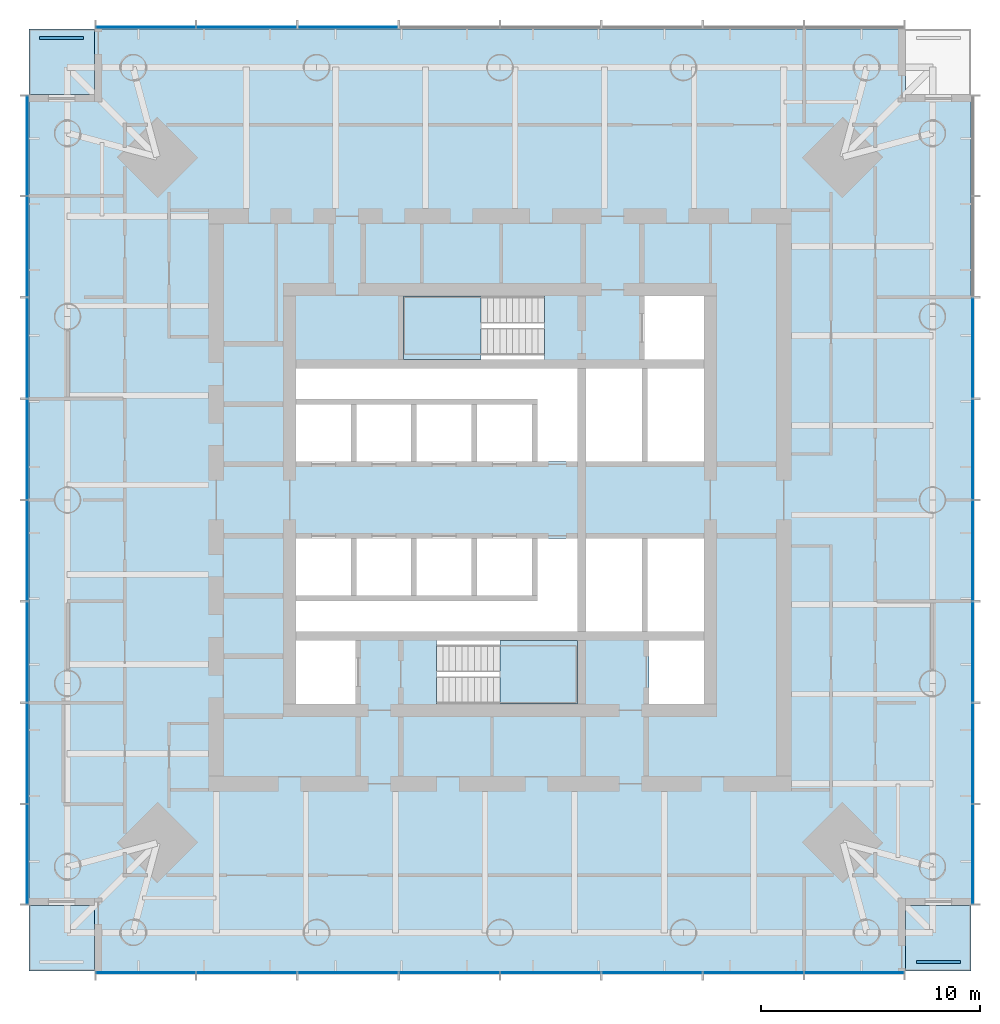
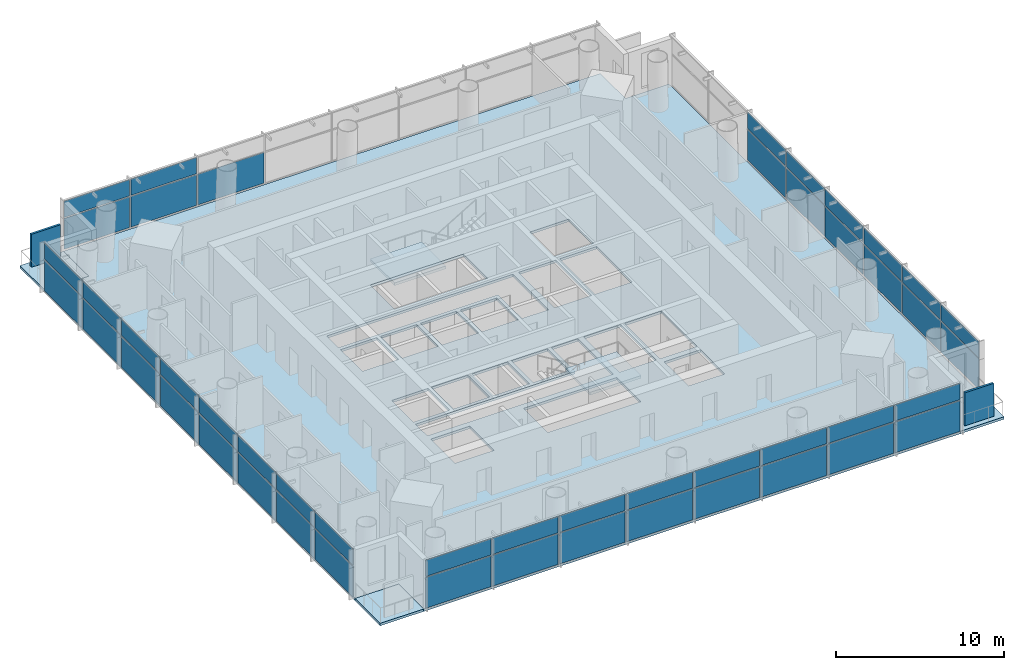
# One storey, part 5 of 11: 51 plates, 6 slabs, 10 elements without a shape of their own.
"""IFC4 building model written with IfcOpenShell, lengths in metres."""

import ifcopenshell
import ifcopenshell.guid

model = None  # the IFC model being written
_history = None  # IfcOwnerHistory: only IFC2X3 demands one
_inside = {}  # id of a spatial element -> (the spatial element, [elements in it])
_under = {}  # id of a project, library or spatial element -> (it, [spatial elements below it])
_declared = {}  # id of a project -> (the project, [libraries it declares])
_typed = {}  # id of a type object -> (the type object, [elements of that type])
_made_of = {}  # id of a material, layer set ... -> (it, [elements and type objects made of it])


def new_model(schema):
    """Start an empty IFC model of exactly this schema.

    Asked for "IFC4X3", IfcOpenShell would pick the latest addendum, in which some entities
    have other attributes; the version numbers below select the first issue.
    IFC2X3 requires an IfcOwnerHistory on every rooted entity: one is made here for all.
    """
    global model, _history
    if schema == "IFC4X3":
        model = ifcopenshell.file(schema_version=(4, 3, 0, 0))
    else:
        model = ifcopenshell.file(schema=schema)
    _inside.clear()
    _under.clear()
    _declared.clear()
    _typed.clear()
    _made_of.clear()
    _history = None
    if model.schema == "IFC2X3":
        org = make("IfcOrganization", Name="unknown")
        user = make(
            "IfcPersonAndOrganization",
            ThePerson=make("IfcPerson", FamilyName="unknown"),
            TheOrganization=org,
        )
        app = make(
            "IfcApplication",
            ApplicationDeveloper=org,
            Version="unknown",
            ApplicationFullName="unknown",
            ApplicationIdentifier="unknown",
        )
        _history = make(
            "IfcOwnerHistory",
            OwningUser=user,
            OwningApplication=app,
            ChangeAction="ADDED",
            CreationDate=0,
        )
    return model


def make(cls, **values):
    """One entity of the class cls with the attributes given. An attribute that is None is left unset."""
    return model.create_entity(
        cls, **{name: value for name, value in values.items() if value is not None}
    )


def rooted(cls, **values):
    """An entity with a GlobalId (a new one), such as an element, a storey or a relation."""
    return make(cls, GlobalId=ifcopenshell.guid.new(), OwnerHistory=_history, **values)


def si_unit(unit_type, name, prefix=None):
    """IfcSIUnit, for example si_unit("LENGTHUNIT", "METRE", prefix="MILLI")."""
    return make("IfcSIUnit", UnitType=unit_type, Prefix=prefix, Name=name)


def assignment(units):
    """IfcUnitAssignment: the units of a project."""
    return None if units is None else make("IfcUnitAssignment", Units=units)


def point(xyz):
    """IfcCartesianPoint."""
    return None if xyz is None else make("IfcCartesianPoint", Coordinates=xyz)


def direction(xyz):
    """IfcDirection."""
    return None if xyz is None else make("IfcDirection", DirectionRatios=xyz)


def frame(location, z_axis=None, x_axis=None):
    """IfcAxis2Placement3D, a coordinate frame: its origin and axes. An axis left out is left unset."""
    return make(
        "IfcAxis2Placement3D",
        Location=point(location),
        Axis=direction(z_axis),
        RefDirection=direction(x_axis),
    )


def frame_2d(location, x_axis=None):
    """IfcAxis2Placement2D, a coordinate frame in the plane: its origin and x axis."""
    return make(
        "IfcAxis2Placement2D", Location=point(location), RefDirection=direction(x_axis)
    )


def origin():
    """The frame at (0, 0, 0) with its axes left unset."""
    return frame((0.0, 0.0, 0.0))


def origin_2d():
    """The frame at (0, 0) in the plane with its x axis left unset."""
    return frame_2d((0.0, 0.0))


def place(relative_to, where):
    """IfcLocalPlacement: puts the frame where relative to a parent placement (None: the world)."""
    return make(
        "IfcLocalPlacement", PlacementRelTo=relative_to, RelativePlacement=where
    )


def context(
    kind, dimensions, precision=None, world=None, true_north=None, identifier=None
):
    """IfcGeometricRepresentationContext, for example the 3D "Model" context."""
    return make(
        "IfcGeometricRepresentationContext",
        ContextIdentifier=identifier,
        ContextType=kind,
        CoordinateSpaceDimension=dimensions,
        Precision=precision,
        WorldCoordinateSystem=world,
        TrueNorth=true_north,
    )


def subcontext(parent, identifier, kind, view, scale=None):
    """IfcGeometricRepresentationSubContext, for example "Body" below "Model"."""
    return make(
        "IfcGeometricRepresentationSubContext",
        ContextIdentifier=identifier,
        ContextType=kind,
        ParentContext=parent,
        TargetScale=scale,
        TargetView=view,
    )


def project(units=None, contexts=None):
    """IfcProject with its units and contexts."""
    return rooted(
        "IfcProject",
        Name="project",
        RepresentationContexts=contexts,
        UnitsInContext=assignment(units),
    )


def spatial(cls, under=None, at=None, **own):
    """A site, building, storey or space (cls), placed at a placement, below another one or the project."""
    s = rooted(cls, ObjectPlacement=at, **own)
    if under is not None:
        _under.setdefault(under.id(), (under, []))[1].append(s)
    return s


def polyline(points):
    """IfcPolyline through the points."""
    return make("IfcPolyline", Points=[point(p) for p in points])


def profile(cls, at=None, kind="AREA", **sizes):
    """A parametric profile (cls). Its sizes go by their IFC names, for example OverallWidth=200.0."""
    return make(cls, ProfileType=kind, Position=at, **sizes)


def rectangle(**sizes):
    """IfcRectangleProfileDef."""
    return profile("IfcRectangleProfileDef", **sizes)


def outline(outer, holes=None, kind="AREA"):
    """IfcArbitraryClosedProfileDef: a profile drawn as a closed curve; with holes, ...WithVoids."""
    if holes is None:
        return make("IfcArbitraryClosedProfileDef", ProfileType=kind, OuterCurve=outer)
    return make(
        "IfcArbitraryProfileDefWithVoids",
        ProfileType=kind,
        OuterCurve=outer,
        InnerCurves=holes,
    )


def extrude(swept, where, along, depth):
    """IfcExtrudedAreaSolid: the profile swept, set in the frame where, extruded along a direction by depth."""
    return make(
        "IfcExtrudedAreaSolid",
        SweptArea=swept,
        Position=where,
        ExtrudedDirection=direction(along),
        Depth=depth,
    )


def shape(context_of_items, identifier, shape_type, items):
    """IfcShapeRepresentation: the items that make up one representation, for example the "Body"."""
    return make(
        "IfcShapeRepresentation",
        ContextOfItems=context_of_items,
        RepresentationIdentifier=identifier,
        RepresentationType=shape_type,
        Items=items,
    )


def material(Name=None, Category=None):
    """IfcMaterial."""
    return make("IfcMaterial", Name=Name, Category=Category)


def layer(
    of_material, thickness, ventilated=None, Name=None, Category=None, Priority=None
):
    """IfcMaterialLayer: one layer of a wall or slab, of a material (None: an air gap)."""
    return make(
        "IfcMaterialLayer",
        Material=of_material,
        LayerThickness=thickness,
        IsVentilated=ventilated,
        Name=Name,
        Category=Category,
        Priority=Priority,
    )


def layer_set(layers, Name=None):
    """IfcMaterialLayerSet."""
    return make("IfcMaterialLayerSet", MaterialLayers=layers, LayerSetName=Name)


def made_of(thing, what):
    """Note that an element or type object is made of a material, layer set ...; save() writes the relation."""
    if what is not None:
        _made_of.setdefault(what.id(), (what, []))[1].append(thing)
    return thing


def type_object(cls, material=None, **own):
    """A type object (cls), such as IfcWallType, which elements share."""
    return made_of(rooted(cls, **own), material)


def element(
    cls,
    number,
    at=None,
    inside=None,
    cuts=None,
    type_object=None,
    material=None,
    context=None,
    identifier="Body",
    shape_type=None,
    held_by="IfcProductDefinitionShape",
    body=None,
    shapes=None,
    **own,
):
    """One element of the class cls, such as IfcWall. Its Tag is "e" and its number.

    at: its placement. inside: the storey or other place that contains it. cuts: it is an
    opening in that element (IfcRelVoidsElement). A single representation is given by context,
    identifier, shape_type and body (its items); several are given by shapes. held_by: the class
    of the entity that holds the representations. save() writes the other relations.
    """
    e = rooted(cls, Tag="e%d" % number, ObjectPlacement=at, **own)
    if body is not None:
        shapes = [shape(context, identifier, shape_type, body)]
    if shapes is not None:
        e.Representation = make(held_by, Representations=shapes)
    if inside is not None:
        _inside.setdefault(inside.id(), (inside, []))[1].append(e)
    if cuts is not None:
        rooted(
            "IfcRelVoidsElement", RelatingBuildingElement=cuts, RelatedOpeningElement=e
        )
    if type_object is not None:
        _typed.setdefault(type_object.id(), (type_object, []))[1].append(e)
    return made_of(e, material)


def aggregate(whole, parts):
    """IfcRelAggregates: a whole, such as a stair, and the parts it consists of."""
    return rooted("IfcRelAggregates", RelatingObject=whole, RelatedObjects=parts)


def save(model, path):
    """Write the relations noted so far, then the file.

    IfcRelAggregates (storeys below a building ...), IfcRelContainedInSpatialStructure (elements
    in a storey), IfcRelDefinesByType, IfcRelAssociatesMaterial and IfcRelDeclares: one each for
    every whole, place, type object, material and project.
    """
    for whole, parts in _under.values():
        aggregate(whole, parts)
    for where, things in _inside.values():
        rooted(
            "IfcRelContainedInSpatialStructure",
            RelatedElements=things,
            RelatingStructure=where,
        )
    for kind, things in _typed.values():
        rooted("IfcRelDefinesByType", RelatedObjects=things, RelatingType=kind)
    for what, things in _made_of.values():
        rooted("IfcRelAssociatesMaterial", RelatedObjects=things, RelatingMaterial=what)
    for by, libraries in _declared.values():
        rooted("IfcRelDeclares", RelatingContext=by, RelatedDefinitions=libraries)
    model.write(path)


model = new_model("IFC4")

# Units and contexts
model_context = context("Model", 3, precision=1e-05, world=origin(), true_north=direction((0.0, 1.0)))
body_context = subcontext(model_context, "Body", "Model", "MODEL_VIEW")
ifc_project = project(units=[si_unit("LENGTHUNIT", "METRE"), si_unit("AREAUNIT", "SQUARE_METRE"), si_unit("VOLUMEUNIT", "CUBIC_METRE"), si_unit("PLANEANGLEUNIT", "RADIAN"), si_unit("MASSUNIT", "GRAM", prefix="KILO")], contexts=[model_context])

# Site, building, storey
site_placement = place(None, origin())
site = spatial("IfcSite", under=ifc_project, at=site_placement, CompositionType="ELEMENT")
building_placement = place(site_placement, origin())
building = spatial("IfcBuilding", under=site, at=building_placement, Name="Ostroluk Exchange", CompositionType="ELEMENT")
storey_placement = place(building_placement, frame((0.0, 0.0, 154.0)))
storey = spatial("IfcBuildingStorey", under=building, at=storey_placement, Name="L39", CompositionType="ELEMENT", Elevation=154.0)

# Slabs
ifc_material_1 = material(Name="Concrete C35/45", Category="concrete")
ifc_layer_1 = layer(ifc_material_1, 0.179931640625)
ifc_layer_set_1 = layer_set([ifc_layer_1], Name="Balcony slab 180")
slab_type_1 = type_object("IfcSlabType", Name="Balcony slab 180", PredefinedType="USERDEFINED", material=ifc_layer_set_1)
slab_1_placement = place(storey_placement, frame((0.0, 0.0, -0.179931640625)))
element("IfcSlab", 1, at=slab_1_placement, inside=storey, type_object=slab_type_1, Name="Office tower SE corner balcony L39", ObjectType="BALCONY", PredefinedType="USERDEFINED", context=body_context, shape_type="SweptSolid", body=[
    extrude(outline(polyline([(63.5, 24.5), (66.5, 24.5), (66.5, 27.5), (63.5, 27.5), (63.5, 24.5)])), origin(), (0.0, 0.0, 1.0), 0.179931640625),
])
slab_2_placement = place(storey_placement, frame((0.0, 0.0, -0.179931640625)))
element("IfcSlab", 2, at=slab_2_placement, inside=storey, type_object=slab_type_1, Name="Office tower NW corner balcony L39", ObjectType="BALCONY", PredefinedType="USERDEFINED", context=body_context, shape_type="SweptSolid", body=[
    extrude(outline(polyline([(23.5, 64.5), (26.5, 64.5), (26.5, 67.5), (23.5, 67.5), (23.5, 64.5)])), origin(), (0.0, 0.0, 1.0), 0.179931640625),
])
slab_3_placement = place(storey_placement, frame((0.0, 0.0, -0.179931640625)))
element("IfcSlab", 3, at=slab_3_placement, inside=storey, type_object=slab_type_1, Name="Office tower SW corner balcony L39", ObjectType="BALCONY", PredefinedType="USERDEFINED", context=body_context, shape_type="SweptSolid", body=[
    extrude(outline(polyline([(23.5, 24.5), (26.5, 24.5), (26.5, 27.5), (23.5, 27.5), (23.5, 24.5)])), origin(), (0.0, 0.0, 1.0), 0.179931640625),
])

# Curtain wall, plates
ifc_material_2 = material(Name="Laminated clear glass", Category="glass")
curtain_wall_type = type_object("IfcCurtainWallType", Name="Office tower facade", PredefinedType="USERDEFINED", material=ifc_material_2)
curtain_wall_1_placement = place(storey_placement, origin())
curtain_wall_1 = element("IfcCurtainWall", 4, at=curtain_wall_1_placement, inside=storey, type_object=curtain_wall_type, Name="Office tower south spandrel L39", ObjectType="UNITISED CURTAIN WALL", PredefinedType="USERDEFINED")
ifc_material_3 = material(Name="Insulated aluminium spandrel", Category="aluminium")
ifc_layer_2 = layer(ifc_material_3, 0.0439453125)
ifc_layer_set_2 = layer_set([ifc_layer_2], Name="Insulated spandrel panel 44")
plate_type_1 = type_object("IfcPlateType", Name="Insulated spandrel panel 44", PredefinedType="CURTAIN_PANEL", material=ifc_layer_set_2)
plate_1_placement = place(storey_placement, frame((28.83251953125, 24.425048828125, 2.3935546875), z_axis=(0.0, 0.0, 1.0), x_axis=(1.0, 0.0, 0.0)))
plate_1 = element("IfcPlate", 5, at=plate_1_placement, type_object=plate_type_1, Name="CW-O1 panel 1.1", PredefinedType="CURTAIN_PANEL", context=body_context, shape_type="SweptSolid", body=[
    extrude(rectangle(XDim=4.5048828125, YDim=0.0439453125, at=origin_2d()), origin(), (0.0, 0.0, 1.0), 1.176513671875),
])
plate_2_placement = place(storey_placement, frame((33.4375, 24.425048828125, 2.3935546875), z_axis=(0.0, 0.0, 1.0), x_axis=(1.0, 0.0, 0.0)))
plate_2 = element("IfcPlate", 6, at=plate_2_placement, type_object=plate_type_1, Name="CW-O1 panel 2.1", PredefinedType="CURTAIN_PANEL", context=body_context, shape_type="SweptSolid", body=[
    extrude(rectangle(XDim=4.544921875, YDim=0.0439453125, at=origin_2d()), origin(), (0.0, 0.0, 1.0), 1.176513671875),
])
plate_3_placement = place(storey_placement, frame((38.0625, 24.425048828125, 2.3935546875), z_axis=(0.0, 0.0, 1.0), x_axis=(1.0, 0.0, 0.0)))
plate_3 = element("IfcPlate", 7, at=plate_3_placement, type_object=plate_type_1, Name="CW-O1 panel 3.1", PredefinedType="CURTAIN_PANEL", context=body_context, shape_type="SweptSolid", body=[
    extrude(rectangle(XDim=4.544921875, YDim=0.0439453125, at=origin_2d()), origin(), (0.0, 0.0, 1.0), 1.176513671875),
])
plate_4_placement = place(storey_placement, frame((42.6875, 24.425048828125, 2.3935546875), z_axis=(0.0, 0.0, 1.0), x_axis=(1.0, 0.0, 0.0)))
plate_4 = element("IfcPlate", 8, at=plate_4_placement, type_object=plate_type_1, Name="CW-O1 panel 4.1", PredefinedType="CURTAIN_PANEL", context=body_context, shape_type="SweptSolid", body=[
    extrude(rectangle(XDim=4.544921875, YDim=0.0439453125, at=origin_2d()), origin(), (0.0, 0.0, 1.0), 1.176513671875),
])
plate_5_placement = place(storey_placement, frame((47.3125, 24.425048828125, 2.3935546875), z_axis=(0.0, 0.0, 1.0), x_axis=(1.0, 0.0, 0.0)))
plate_5 = element("IfcPlate", 9, at=plate_5_placement, type_object=plate_type_1, Name="CW-O1 panel 5.1", PredefinedType="CURTAIN_PANEL", context=body_context, shape_type="SweptSolid", body=[
    extrude(rectangle(XDim=4.544921875, YDim=0.0439453125, at=origin_2d()), origin(), (0.0, 0.0, 1.0), 1.176513671875),
])
plate_6_placement = place(storey_placement, frame((51.9375, 24.425048828125, 2.3935546875), z_axis=(0.0, 0.0, 1.0), x_axis=(1.0, 0.0, 0.0)))
plate_6 = element("IfcPlate", 10, at=plate_6_placement, type_object=plate_type_1, Name="CW-O1 panel 6.1", PredefinedType="CURTAIN_PANEL", context=body_context, shape_type="SweptSolid", body=[
    extrude(rectangle(XDim=4.544921875, YDim=0.0439453125, at=origin_2d()), origin(), (0.0, 0.0, 1.0), 1.176513671875),
])
plate_7_placement = place(storey_placement, frame((56.5625, 24.425048828125, 2.3935546875), z_axis=(0.0, 0.0, 1.0), x_axis=(1.0, 0.0, 0.0)))
plate_7 = element("IfcPlate", 11, at=plate_7_placement, type_object=plate_type_1, Name="CW-O1 panel 7.1", PredefinedType="CURTAIN_PANEL", context=body_context, shape_type="SweptSolid", body=[
    extrude(rectangle(XDim=4.544921875, YDim=0.0439453125, at=origin_2d()), origin(), (0.0, 0.0, 1.0), 1.176513671875),
])
plate_8_placement = place(storey_placement, frame((61.16748046875, 24.425048828125, 2.3935546875), z_axis=(0.0, 0.0, 1.0), x_axis=(1.0, 0.0, 0.0)))
plate_8 = element("IfcPlate", 12, at=plate_8_placement, type_object=plate_type_1, Name="CW-O1 panel 8.1", PredefinedType="CURTAIN_PANEL", context=body_context, shape_type="SweptSolid", body=[
    extrude(rectangle(XDim=4.5048828125, YDim=0.0439453125, at=origin_2d()), origin(), (0.0, 0.0, 1.0), 1.176513671875),
])
aggregate(curtain_wall_1, [plate_1, plate_2, plate_3, plate_4, plate_5, plate_6, plate_7, plate_8])

curtain_wall_2_placement = place(storey_placement, origin())
curtain_wall_2 = element("IfcCurtainWall", 13, at=curtain_wall_2_placement, inside=storey, type_object=curtain_wall_type, Name="Office tower east spandrel L39", ObjectType="UNITISED CURTAIN WALL", PredefinedType="USERDEFINED")
plate_9_placement = place(storey_placement, frame((66.574951171875, 29.83251953125, 2.3935546875), z_axis=(0.0, 0.0, 1.0), x_axis=(0.0, 1.0, 0.0)))
plate_9 = element("IfcPlate", 14, at=plate_9_placement, type_object=plate_type_1, Name="CW-O1 panel 1.1", PredefinedType="CURTAIN_PANEL", context=body_context, shape_type="SweptSolid", body=[
    extrude(rectangle(XDim=4.5048828125, YDim=0.0439453125, at=origin_2d()), origin(), (0.0, 0.0, 1.0), 1.176513671875),
])
plate_10_placement = place(storey_placement, frame((66.574951171875, 34.4375, 2.3935546875), z_axis=(0.0, 0.0, 1.0), x_axis=(0.0, 1.0, 0.0)))
plate_10 = element("IfcPlate", 15, at=plate_10_placement, type_object=plate_type_1, Name="CW-O1 panel 2.1", PredefinedType="CURTAIN_PANEL", context=body_context, shape_type="SweptSolid", body=[
    extrude(rectangle(XDim=4.544921875, YDim=0.0439453125, at=origin_2d()), origin(), (0.0, 0.0, 1.0), 1.176513671875),
])
plate_11_placement = place(storey_placement, frame((66.574951171875, 39.0625, 2.3935546875), z_axis=(0.0, 0.0, 1.0), x_axis=(0.0, 1.0, 0.0)))
plate_11 = element("IfcPlate", 16, at=plate_11_placement, type_object=plate_type_1, Name="CW-O1 panel 3.1", PredefinedType="CURTAIN_PANEL", context=body_context, shape_type="SweptSolid", body=[
    extrude(rectangle(XDim=4.544921875, YDim=0.0439453125, at=origin_2d()), origin(), (0.0, 0.0, 1.0), 1.176513671875),
])
plate_12_placement = place(storey_placement, frame((66.574951171875, 43.6875, 2.3935546875), z_axis=(0.0, 0.0, 1.0), x_axis=(0.0, 1.0, 0.0)))
plate_12 = element("IfcPlate", 17, at=plate_12_placement, type_object=plate_type_1, Name="CW-O1 panel 4.1", PredefinedType="CURTAIN_PANEL", context=body_context, shape_type="SweptSolid", body=[
    extrude(rectangle(XDim=4.544921875, YDim=0.0439453125, at=origin_2d()), origin(), (0.0, 0.0, 1.0), 1.176513671875),
])
plate_13_placement = place(storey_placement, frame((66.574951171875, 48.3125, 2.3935546875), z_axis=(0.0, 0.0, 1.0), x_axis=(0.0, 1.0, 0.0)))
plate_13 = element("IfcPlate", 18, at=plate_13_placement, type_object=plate_type_1, Name="CW-O1 panel 5.1", PredefinedType="CURTAIN_PANEL", context=body_context, shape_type="SweptSolid", body=[
    extrude(rectangle(XDim=4.544921875, YDim=0.0439453125, at=origin_2d()), origin(), (0.0, 0.0, 1.0), 1.176513671875),
])
plate_14_placement = place(storey_placement, frame((66.574951171875, 52.9375, 2.3935546875), z_axis=(0.0, 0.0, 1.0), x_axis=(0.0, 1.0, 0.0)))
plate_14 = element("IfcPlate", 19, at=plate_14_placement, type_object=plate_type_1, Name="CW-O1 panel 6.1", PredefinedType="CURTAIN_PANEL", context=body_context, shape_type="SweptSolid", body=[
    extrude(rectangle(XDim=4.544921875, YDim=0.0439453125, at=origin_2d()), origin(), (0.0, 0.0, 1.0), 1.176513671875),
])
aggregate(curtain_wall_2, [plate_9, plate_10, plate_11, plate_12, plate_13, plate_14])

curtain_wall_3_placement = place(storey_placement, origin())
curtain_wall_3 = element("IfcCurtainWall", 20, at=curtain_wall_3_placement, inside=storey, type_object=curtain_wall_type, Name="Office tower north spandrel L39", ObjectType="UNITISED CURTAIN WALL", PredefinedType="USERDEFINED")
plate_15_placement = place(storey_placement, frame((33.4375, 67.574951171875, 2.3935546875), z_axis=(0.0, 0.0, 1.0), x_axis=(-1.0, 0.0, 0.0)))
plate_15 = element("IfcPlate", 21, at=plate_15_placement, type_object=plate_type_1, Name="CW-O1 panel 7.1", PredefinedType="CURTAIN_PANEL", context=body_context, shape_type="SweptSolid", body=[
    extrude(rectangle(XDim=4.544921875, YDim=0.0439453125, at=origin_2d()), origin(), (0.0, 0.0, 1.0), 1.176513671875),
])
plate_16_placement = place(storey_placement, frame((28.83251953125, 67.574951171875, 2.3935546875), z_axis=(0.0, 0.0, 1.0), x_axis=(-1.0, 0.0, 0.0)))
plate_16 = element("IfcPlate", 22, at=plate_16_placement, type_object=plate_type_1, Name="CW-O1 panel 8.1", PredefinedType="CURTAIN_PANEL", context=body_context, shape_type="SweptSolid", body=[
    extrude(rectangle(XDim=4.5048828125, YDim=0.0439453125, at=origin_2d()), origin(), (0.0, 0.0, 1.0), 1.176513671875),
])
aggregate(curtain_wall_3, [plate_15, plate_16])

curtain_wall_4_placement = place(storey_placement, origin())
curtain_wall_4 = element("IfcCurtainWall", 23, at=curtain_wall_4_placement, inside=storey, type_object=curtain_wall_type, Name="Office tower west spandrel L39", ObjectType="UNITISED CURTAIN WALL", PredefinedType="USERDEFINED")
plate_17_placement = place(storey_placement, frame((23.425048828125, 62.16748046875, 2.3935546875), z_axis=(0.0, 0.0, 1.0), x_axis=(0.0, -1.0, 0.0)))
plate_17 = element("IfcPlate", 24, at=plate_17_placement, type_object=plate_type_1, Name="CW-O1 panel 1.1", PredefinedType="CURTAIN_PANEL", context=body_context, shape_type="SweptSolid", body=[
    extrude(rectangle(XDim=4.5048828125, YDim=0.0439453125, at=origin_2d()), origin(), (0.0, 0.0, 1.0), 1.176513671875),
])
plate_18_placement = place(storey_placement, frame((23.425048828125, 57.5625, 2.3935546875), z_axis=(0.0, 0.0, 1.0), x_axis=(0.0, -1.0, 0.0)))
plate_18 = element("IfcPlate", 25, at=plate_18_placement, type_object=plate_type_1, Name="CW-O1 panel 2.1", PredefinedType="CURTAIN_PANEL", context=body_context, shape_type="SweptSolid", body=[
    extrude(rectangle(XDim=4.544921875, YDim=0.0439453125, at=origin_2d()), origin(), (0.0, 0.0, 1.0), 1.176513671875),
])
plate_19_placement = place(storey_placement, frame((23.425048828125, 52.9375, 2.3935546875), z_axis=(0.0, 0.0, 1.0), x_axis=(0.0, -1.0, 0.0)))
plate_19 = element("IfcPlate", 26, at=plate_19_placement, type_object=plate_type_1, Name="CW-O1 panel 3.1", PredefinedType="CURTAIN_PANEL", context=body_context, shape_type="SweptSolid", body=[
    extrude(rectangle(XDim=4.544921875, YDim=0.0439453125, at=origin_2d()), origin(), (0.0, 0.0, 1.0), 1.176513671875),
])
plate_20_placement = place(storey_placement, frame((23.425048828125, 48.3125, 2.3935546875), z_axis=(0.0, 0.0, 1.0), x_axis=(0.0, -1.0, 0.0)))
plate_20 = element("IfcPlate", 27, at=plate_20_placement, type_object=plate_type_1, Name="CW-O1 panel 4.1", PredefinedType="CURTAIN_PANEL", context=body_context, shape_type="SweptSolid", body=[
    extrude(rectangle(XDim=4.544921875, YDim=0.0439453125, at=origin_2d()), origin(), (0.0, 0.0, 1.0), 1.176513671875),
])
plate_21_placement = place(storey_placement, frame((23.425048828125, 43.6875, 2.3935546875), z_axis=(0.0, 0.0, 1.0), x_axis=(0.0, -1.0, 0.0)))
plate_21 = element("IfcPlate", 28, at=plate_21_placement, type_object=plate_type_1, Name="CW-O1 panel 5.1", PredefinedType="CURTAIN_PANEL", context=body_context, shape_type="SweptSolid", body=[
    extrude(rectangle(XDim=4.544921875, YDim=0.0439453125, at=origin_2d()), origin(), (0.0, 0.0, 1.0), 1.176513671875),
])
plate_22_placement = place(storey_placement, frame((23.425048828125, 39.0625, 2.3935546875), z_axis=(0.0, 0.0, 1.0), x_axis=(0.0, -1.0, 0.0)))
plate_22 = element("IfcPlate", 29, at=plate_22_placement, type_object=plate_type_1, Name="CW-O1 panel 6.1", PredefinedType="CURTAIN_PANEL", context=body_context, shape_type="SweptSolid", body=[
    extrude(rectangle(XDim=4.544921875, YDim=0.0439453125, at=origin_2d()), origin(), (0.0, 0.0, 1.0), 1.176513671875),
])
plate_23_placement = place(storey_placement, frame((23.425048828125, 34.4375, 2.3935546875), z_axis=(0.0, 0.0, 1.0), x_axis=(0.0, -1.0, 0.0)))
plate_23 = element("IfcPlate", 30, at=plate_23_placement, type_object=plate_type_1, Name="CW-O1 panel 7.1", PredefinedType="CURTAIN_PANEL", context=body_context, shape_type="SweptSolid", body=[
    extrude(rectangle(XDim=4.544921875, YDim=0.0439453125, at=origin_2d()), origin(), (0.0, 0.0, 1.0), 1.176513671875),
])
plate_24_placement = place(storey_placement, frame((23.425048828125, 29.83251953125, 2.3935546875), z_axis=(0.0, 0.0, 1.0), x_axis=(0.0, -1.0, 0.0)))
plate_24 = element("IfcPlate", 31, at=plate_24_placement, type_object=plate_type_1, Name="CW-O1 panel 8.1", PredefinedType="CURTAIN_PANEL", context=body_context, shape_type="SweptSolid", body=[
    extrude(rectangle(XDim=4.5048828125, YDim=0.0439453125, at=origin_2d()), origin(), (0.0, 0.0, 1.0), 1.176513671875),
])
aggregate(curtain_wall_4, [plate_17, plate_18, plate_19, plate_20, plate_21, plate_22, plate_23, plate_24])

# Plates
ifc_material_4 = material(Name="Steel S355 trellis with planting", Category="steel")
ifc_layer_3 = layer(ifc_material_4, 0.14990234375)
ifc_layer_set_3 = layer_set([ifc_layer_3], Name="Planted screen 150")
plate_type_2 = type_object("IfcPlateType", Name="Planted screen 150", PredefinedType="USERDEFINED", material=ifc_layer_set_3)
for number, where, z_axis, x_axis, name in (
    (32, (65.0, 24.925048828125, 0.0), (0.0, 0.0, 1.0), (1.0, 0.0, 0.0), "Office tower SE planted screen L39"),
    (33, (25.0, 67.074951171875, 0.0), (0.0, 0.0, 1.0), (1.0, 0.0, 0.0), "Office tower NW planted screen L39"),
):
    element("IfcPlate", number, at=place(storey_placement, frame(where, z_axis=z_axis, x_axis=x_axis)), inside=storey, type_object=plate_type_2, Name=name, ObjectType="PLANTED SCREEN", PredefinedType="USERDEFINED", context=body_context, shape_type="SweptSolid", body=[
        extrude(rectangle(XDim=2.0, YDim=0.14990234375, at=origin_2d()), origin(), (0.0, 0.0, 1.0), 2.39990234375),
    ])

# Stair, slab
ifc_material_5 = material(Name="Concrete C30/37", Category="concrete")
stair_type = type_object("IfcStairType", Name="Exit stair half turn 3800", PredefinedType="HALF_TURN_STAIR", material=ifc_material_5)
stair_1_placement = place(storey_placement, origin())
stair_1 = element("IfcStair", 34, at=stair_1_placement, inside=storey, type_object=stair_type, Name="Stair T1-S1 L39", PredefinedType="HALF_TURN_STAIR")
ifc_material_6 = material(Name="Concrete C30/37", Category="concrete")
ifc_layer_4 = layer(ifc_material_6, 0.199951171875)
ifc_layer_set_4 = layer_set([ifc_layer_4], Name="Stair landing 200")
slab_type_2 = type_object("IfcSlabType", Name="Stair landing 200", PredefinedType="LANDING", material=ifc_layer_set_4)
slab_4_placement = place(storey_placement, frame((0.0, 0.0, 1.699951171875)))
slab_4 = element("IfcSlab", 35, at=slab_4_placement, type_object=slab_type_2, Name="T1-S1 landing 1", PredefinedType="LANDING", context=body_context, shape_type="SweptSolid", body=[
    extrude(outline(polyline([(45.0, 36.699951171875), (45.0, 39.60009765625), (48.530029296875, 39.60009765625), (48.530029296875, 36.699951171875), (45.0, 36.699951171875)])), origin(), (0.0, 0.0, 1.0), 0.199951171875),
])
aggregate(stair_1, [slab_4])

stair_2_placement = place(storey_placement, origin())
stair_2 = element("IfcStair", 36, at=stair_2_placement, inside=storey, type_object=stair_type, Name="Stair T1-S2 L39", PredefinedType="HALF_TURN_STAIR")
slab_5_placement = place(storey_placement, frame((0.0, 0.0, 1.699951171875)))
slab_5 = element("IfcSlab", 37, at=slab_5_placement, type_object=slab_type_2, Name="T1-S2 landing 1", PredefinedType="LANDING", context=body_context, shape_type="SweptSolid", body=[
    extrude(outline(polyline([(44.1298828125, 52.39990234375), (44.1298828125, 55.300048828125), (40.60009765625, 55.300048828125), (40.60009765625, 52.39990234375), (44.1298828125, 52.39990234375)])), origin(), (0.0, 0.0, 1.0), 0.199951171875),
])
aggregate(stair_2, [slab_5])

# Slab
ifc_material_7 = material(Name="Concrete C35/45", Category="concrete")
ifc_layer_5 = layer(ifc_material_7, 0.179931640625)
ifc_layer_set_5 = layer_set([ifc_layer_5], Name="Tower floor slab 180 composite")
slab_type_3 = type_object("IfcSlabType", Name="Tower floor slab 180 composite", PredefinedType="FLOOR", material=ifc_layer_set_5)
slab_6_placement = place(storey_placement, frame((0.0, 0.0, -0.179931640625)))
element("IfcSlab", 38, at=slab_6_placement, inside=storey, type_object=slab_type_3, Name="Office tower floor slab L39", PredefinedType="FLOOR", context=body_context, shape_type="SweptSolid", body=[
    extrude(outline(polyline([(26.5, 24.5), (63.5, 24.5), (63.5, 27.5), (66.5, 27.5), (66.5, 64.5), (63.5, 64.5), (63.5, 67.5), (26.5, 67.5), (26.5, 64.5), (23.5, 64.5), (23.5, 27.5), (26.5, 27.5), (26.5, 24.5)]), holes=[polyline([(35.699951171875, 36.699951171875), (38.39990234375, 36.699951171875), (38.39990234375, 39.60009765625), (35.699951171875, 39.60009765625), (35.699951171875, 36.699951171875)]), polyline([(42.110107421875, 36.699951171875), (48.530029296875, 36.699951171875), (48.530029296875, 39.60009765625), (42.110107421875, 39.60009765625), (42.110107421875, 36.699951171875)]), polyline([(51.800048828125, 36.699951171875), (54.300048828125, 36.699951171875), (54.300048828125, 39.60009765625), (51.800048828125, 39.60009765625), (51.800048828125, 36.699951171875)]), polyline([(40.60009765625, 52.39990234375), (47.02001953125, 52.39990234375), (47.02001953125, 55.300048828125), (40.60009765625, 55.300048828125), (40.60009765625, 52.39990234375)]), polyline([(51.60009765625, 52.39990234375), (54.300048828125, 52.39990234375), (54.300048828125, 55.300048828125), (51.60009765625, 55.300048828125), (51.60009765625, 52.39990234375)]), polyline([(35.699951171875, 47.75), (38.199951171875, 47.75), (38.199951171875, 50.35009765625), (35.699951171875, 50.35009765625), (35.699951171875, 47.75)]), polyline([(38.449951171875, 47.75), (40.949951171875, 47.75), (40.949951171875, 50.35009765625), (38.449951171875, 50.35009765625), (38.449951171875, 47.75)]), polyline([(41.199951171875, 47.75), (43.699951171875, 47.75), (43.699951171875, 50.35009765625), (41.199951171875, 50.35009765625), (41.199951171875, 47.75)]), polyline([(43.949951171875, 47.75), (46.449951171875, 47.75), (46.449951171875, 50.35009765625), (43.949951171875, 50.35009765625), (43.949951171875, 47.75)]), polyline([(35.699951171875, 41.64990234375), (38.199951171875, 41.64990234375), (38.199951171875, 44.25), (35.699951171875, 44.25), (35.699951171875, 41.64990234375)]), polyline([(38.449951171875, 41.64990234375), (40.949951171875, 41.64990234375), (40.949951171875, 44.25), (38.449951171875, 44.25), (38.449951171875, 41.64990234375)]), polyline([(41.199951171875, 41.64990234375), (43.699951171875, 41.64990234375), (43.699951171875, 44.25), (41.199951171875, 44.25), (41.199951171875, 41.64990234375)]), polyline([(43.949951171875, 41.64990234375), (46.449951171875, 41.64990234375), (46.449951171875, 44.25), (43.949951171875, 44.25), (43.949951171875, 41.64990234375)]), polyline([(48.929931640625, 47.75), (51.489990234375, 47.75), (51.489990234375, 52.0), (48.929931640625, 52.0), (48.929931640625, 47.75)]), polyline([(51.739990234375, 47.75), (54.300048828125, 47.75), (54.300048828125, 52.0), (51.739990234375, 52.0), (51.739990234375, 47.75)]), polyline([(48.929931640625, 40.0), (51.489990234375, 40.0), (51.489990234375, 44.25), (48.929931640625, 44.25), (48.929931640625, 40.0)]), polyline([(51.739990234375, 40.0), (54.300048828125, 40.0), (54.300048828125, 44.25), (51.739990234375, 44.25), (51.739990234375, 40.0)]), polyline([(48.530029296875, 52.0), (48.530029296875, 47.75), (46.699951171875, 47.75), (46.699951171875, 50.60009765625), (35.699951171875, 50.60009765625), (35.699951171875, 52.0), (48.530029296875, 52.0)]), polyline([(35.699951171875, 40.0), (35.699951171875, 41.39990234375), (46.699951171875, 41.39990234375), (46.699951171875, 44.25), (48.530029296875, 44.25), (48.530029296875, 40.0), (35.699951171875, 40.0)])]), origin(), (0.0, 0.0, 1.0), 0.179931640625),
])

# Curtain wall, plates
curtain_wall_5_placement = place(storey_placement, origin())
curtain_wall_5 = element("IfcCurtainWall", 39, at=curtain_wall_5_placement, inside=storey, type_object=curtain_wall_type, Name="Office tower south facade L39", ObjectType="UNITISED CURTAIN WALL", PredefinedType="USERDEFINED")
ifc_material_8 = material(Name="Laminated clear glass", Category="glass")
ifc_layer_6 = layer(ifc_material_8, 0.0439453125)
ifc_layer_set_6 = layer_set([ifc_layer_6], Name="Triple laminated clear glazing 44")
plate_type_3 = type_object("IfcPlateType", Name="Triple laminated clear glazing 44", PredefinedType="CURTAIN_PANEL", material=ifc_layer_set_6)
plate_25_placement = place(storey_placement, frame((28.83251953125, 24.425048828125, 0.080078125), z_axis=(0.0, 0.0, 1.0), x_axis=(1.0, 0.0, 0.0)))
plate_25 = element("IfcPlate", 40, at=plate_25_placement, type_object=plate_type_3, Name="CW-O1 panel 1.1", PredefinedType="CURTAIN_PANEL", context=body_context, shape_type="SweptSolid", body=[
    extrude(rectangle(XDim=4.5048828125, YDim=0.0439453125, at=origin_2d()), origin(), (0.0, 0.0, 1.0), 2.2333984375),
])
plate_26_placement = place(storey_placement, frame((33.4375, 24.425048828125, 0.080078125), z_axis=(0.0, 0.0, 1.0), x_axis=(1.0, 0.0, 0.0)))
plate_26 = element("IfcPlate", 41, at=plate_26_placement, type_object=plate_type_3, Name="CW-O1 panel 2.1", PredefinedType="CURTAIN_PANEL", context=body_context, shape_type="SweptSolid", body=[
    extrude(rectangle(XDim=4.544921875, YDim=0.0439453125, at=origin_2d()), origin(), (0.0, 0.0, 1.0), 2.2333984375),
])
plate_27_placement = place(storey_placement, frame((38.0625, 24.425048828125, 0.080078125), z_axis=(0.0, 0.0, 1.0), x_axis=(1.0, 0.0, 0.0)))
plate_27 = element("IfcPlate", 42, at=plate_27_placement, type_object=plate_type_3, Name="CW-O1 panel 3.1", PredefinedType="CURTAIN_PANEL", context=body_context, shape_type="SweptSolid", body=[
    extrude(rectangle(XDim=4.544921875, YDim=0.0439453125, at=origin_2d()), origin(), (0.0, 0.0, 1.0), 2.2333984375),
])
plate_28_placement = place(storey_placement, frame((42.6875, 24.425048828125, 0.080078125), z_axis=(0.0, 0.0, 1.0), x_axis=(1.0, 0.0, 0.0)))
plate_28 = element("IfcPlate", 43, at=plate_28_placement, type_object=plate_type_3, Name="CW-O1 panel 4.1", PredefinedType="CURTAIN_PANEL", context=body_context, shape_type="SweptSolid", body=[
    extrude(rectangle(XDim=4.544921875, YDim=0.0439453125, at=origin_2d()), origin(), (0.0, 0.0, 1.0), 2.2333984375),
])
plate_29_placement = place(storey_placement, frame((47.3125, 24.425048828125, 0.080078125), z_axis=(0.0, 0.0, 1.0), x_axis=(1.0, 0.0, 0.0)))
plate_29 = element("IfcPlate", 44, at=plate_29_placement, type_object=plate_type_3, Name="CW-O1 panel 5.1", PredefinedType="CURTAIN_PANEL", context=body_context, shape_type="SweptSolid", body=[
    extrude(rectangle(XDim=4.544921875, YDim=0.0439453125, at=origin_2d()), origin(), (0.0, 0.0, 1.0), 2.2333984375),
])
plate_30_placement = place(storey_placement, frame((51.9375, 24.425048828125, 0.080078125), z_axis=(0.0, 0.0, 1.0), x_axis=(1.0, 0.0, 0.0)))
plate_30 = element("IfcPlate", 45, at=plate_30_placement, type_object=plate_type_3, Name="CW-O1 panel 6.1", PredefinedType="CURTAIN_PANEL", context=body_context, shape_type="SweptSolid", body=[
    extrude(rectangle(XDim=4.544921875, YDim=0.0439453125, at=origin_2d()), origin(), (0.0, 0.0, 1.0), 2.2333984375),
])
plate_31_placement = place(storey_placement, frame((56.5625, 24.425048828125, 0.080078125), z_axis=(0.0, 0.0, 1.0), x_axis=(1.0, 0.0, 0.0)))
plate_31 = element("IfcPlate", 46, at=plate_31_placement, type_object=plate_type_3, Name="CW-O1 panel 7.1", PredefinedType="CURTAIN_PANEL", context=body_context, shape_type="SweptSolid", body=[
    extrude(rectangle(XDim=4.544921875, YDim=0.0439453125, at=origin_2d()), origin(), (0.0, 0.0, 1.0), 2.2333984375),
])
plate_32_placement = place(storey_placement, frame((61.16748046875, 24.425048828125, 0.080078125), z_axis=(0.0, 0.0, 1.0), x_axis=(1.0, 0.0, 0.0)))
plate_32 = element("IfcPlate", 47, at=plate_32_placement, type_object=plate_type_3, Name="CW-O1 panel 8.1", PredefinedType="CURTAIN_PANEL", context=body_context, shape_type="SweptSolid", body=[
    extrude(rectangle(XDim=4.5048828125, YDim=0.0439453125, at=origin_2d()), origin(), (0.0, 0.0, 1.0), 2.2333984375),
])
aggregate(curtain_wall_5, [plate_25, plate_26, plate_27, plate_28, plate_29, plate_30, plate_31, plate_32])

curtain_wall_6_placement = place(storey_placement, origin())
curtain_wall_6 = element("IfcCurtainWall", 48, at=curtain_wall_6_placement, inside=storey, type_object=curtain_wall_type, Name="Office tower east facade L39", ObjectType="UNITISED CURTAIN WALL", PredefinedType="USERDEFINED")
plate_33_placement = place(storey_placement, frame((66.574951171875, 29.83251953125, 0.080078125), z_axis=(0.0, 0.0, 1.0), x_axis=(0.0, 1.0, 0.0)))
plate_33 = element("IfcPlate", 49, at=plate_33_placement, type_object=plate_type_3, Name="CW-O1 panel 1.1", PredefinedType="CURTAIN_PANEL", context=body_context, shape_type="SweptSolid", body=[
    extrude(rectangle(XDim=4.5048828125, YDim=0.0439453125, at=origin_2d()), origin(), (0.0, 0.0, 1.0), 2.2333984375),
])
plate_34_placement = place(storey_placement, frame((66.574951171875, 34.4375, 0.080078125), z_axis=(0.0, 0.0, 1.0), x_axis=(0.0, 1.0, 0.0)))
plate_34 = element("IfcPlate", 50, at=plate_34_placement, type_object=plate_type_3, Name="CW-O1 panel 2.1", PredefinedType="CURTAIN_PANEL", context=body_context, shape_type="SweptSolid", body=[
    extrude(rectangle(XDim=4.544921875, YDim=0.0439453125, at=origin_2d()), origin(), (0.0, 0.0, 1.0), 2.2333984375),
])
plate_35_placement = place(storey_placement, frame((66.574951171875, 39.0625, 0.080078125), z_axis=(0.0, 0.0, 1.0), x_axis=(0.0, 1.0, 0.0)))
plate_35 = element("IfcPlate", 51, at=plate_35_placement, type_object=plate_type_3, Name="CW-O1 panel 3.1", PredefinedType="CURTAIN_PANEL", context=body_context, shape_type="SweptSolid", body=[
    extrude(rectangle(XDim=4.544921875, YDim=0.0439453125, at=origin_2d()), origin(), (0.0, 0.0, 1.0), 2.2333984375),
])
plate_36_placement = place(storey_placement, frame((66.574951171875, 43.6875, 0.080078125), z_axis=(0.0, 0.0, 1.0), x_axis=(0.0, 1.0, 0.0)))
plate_36 = element("IfcPlate", 52, at=plate_36_placement, type_object=plate_type_3, Name="CW-O1 panel 4.1", PredefinedType="CURTAIN_PANEL", context=body_context, shape_type="SweptSolid", body=[
    extrude(rectangle(XDim=4.544921875, YDim=0.0439453125, at=origin_2d()), origin(), (0.0, 0.0, 1.0), 2.2333984375),
])
plate_37_placement = place(storey_placement, frame((66.574951171875, 48.3125, 0.080078125), z_axis=(0.0, 0.0, 1.0), x_axis=(0.0, 1.0, 0.0)))
plate_37 = element("IfcPlate", 53, at=plate_37_placement, type_object=plate_type_3, Name="CW-O1 panel 5.1", PredefinedType="CURTAIN_PANEL", context=body_context, shape_type="SweptSolid", body=[
    extrude(rectangle(XDim=4.544921875, YDim=0.0439453125, at=origin_2d()), origin(), (0.0, 0.0, 1.0), 2.2333984375),
])
plate_38_placement = place(storey_placement, frame((66.574951171875, 52.9375, 0.080078125), z_axis=(0.0, 0.0, 1.0), x_axis=(0.0, 1.0, 0.0)))
plate_38 = element("IfcPlate", 54, at=plate_38_placement, type_object=plate_type_3, Name="CW-O1 panel 6.1", PredefinedType="CURTAIN_PANEL", context=body_context, shape_type="SweptSolid", body=[
    extrude(rectangle(XDim=4.544921875, YDim=0.0439453125, at=origin_2d()), origin(), (0.0, 0.0, 1.0), 2.2333984375),
])
aggregate(curtain_wall_6, [plate_33, plate_34, plate_35, plate_36, plate_37, plate_38])

curtain_wall_7_placement = place(storey_placement, origin())
curtain_wall_7 = element("IfcCurtainWall", 55, at=curtain_wall_7_placement, inside=storey, type_object=curtain_wall_type, Name="Office tower north facade L39", ObjectType="UNITISED CURTAIN WALL", PredefinedType="USERDEFINED")
plate_39_placement = place(storey_placement, frame((38.0625, 67.574951171875, 0.080078125), z_axis=(0.0, 0.0, 1.0), x_axis=(-1.0, 0.0, 0.0)))
plate_39 = element("IfcPlate", 56, at=plate_39_placement, type_object=plate_type_3, Name="CW-O1 panel 6.1", PredefinedType="CURTAIN_PANEL", context=body_context, shape_type="SweptSolid", body=[
    extrude(rectangle(XDim=4.544921875, YDim=0.0439453125, at=origin_2d()), origin(), (0.0, 0.0, 1.0), 2.2333984375),
])
plate_40_placement = place(storey_placement, frame((33.4375, 67.574951171875, 0.080078125), z_axis=(0.0, 0.0, 1.0), x_axis=(-1.0, 0.0, 0.0)))
plate_40 = element("IfcPlate", 57, at=plate_40_placement, type_object=plate_type_3, Name="CW-O1 panel 7.1", PredefinedType="CURTAIN_PANEL", context=body_context, shape_type="SweptSolid", body=[
    extrude(rectangle(XDim=4.544921875, YDim=0.0439453125, at=origin_2d()), origin(), (0.0, 0.0, 1.0), 2.2333984375),
])
plate_41_placement = place(storey_placement, frame((28.83251953125, 67.574951171875, 0.080078125), z_axis=(0.0, 0.0, 1.0), x_axis=(-1.0, 0.0, 0.0)))
plate_41 = element("IfcPlate", 58, at=plate_41_placement, type_object=plate_type_3, Name="CW-O1 panel 8.1", PredefinedType="CURTAIN_PANEL", context=body_context, shape_type="SweptSolid", body=[
    extrude(rectangle(XDim=4.5048828125, YDim=0.0439453125, at=origin_2d()), origin(), (0.0, 0.0, 1.0), 2.2333984375),
])
aggregate(curtain_wall_7, [plate_39, plate_40, plate_41])

curtain_wall_8_placement = place(storey_placement, origin())
curtain_wall_8 = element("IfcCurtainWall", 59, at=curtain_wall_8_placement, inside=storey, type_object=curtain_wall_type, Name="Office tower west facade L39", ObjectType="UNITISED CURTAIN WALL", PredefinedType="USERDEFINED")
plate_42_placement = place(storey_placement, frame((23.425048828125, 62.16748046875, 0.080078125), z_axis=(0.0, 0.0, 1.0), x_axis=(0.0, -1.0, 0.0)))
plate_42 = element("IfcPlate", 60, at=plate_42_placement, type_object=plate_type_3, Name="CW-O1 panel 1.1", PredefinedType="CURTAIN_PANEL", context=body_context, shape_type="SweptSolid", body=[
    extrude(rectangle(XDim=4.5048828125, YDim=0.0439453125, at=origin_2d()), origin(), (0.0, 0.0, 1.0), 2.2333984375),
])
plate_43_placement = place(storey_placement, frame((23.425048828125, 57.5625, 0.080078125), z_axis=(0.0, 0.0, 1.0), x_axis=(0.0, -1.0, 0.0)))
plate_43 = element("IfcPlate", 61, at=plate_43_placement, type_object=plate_type_3, Name="CW-O1 panel 2.1", PredefinedType="CURTAIN_PANEL", context=body_context, shape_type="SweptSolid", body=[
    extrude(rectangle(XDim=4.544921875, YDim=0.0439453125, at=origin_2d()), origin(), (0.0, 0.0, 1.0), 2.2333984375),
])
plate_44_placement = place(storey_placement, frame((23.425048828125, 52.9375, 0.080078125), z_axis=(0.0, 0.0, 1.0), x_axis=(0.0, -1.0, 0.0)))
plate_44 = element("IfcPlate", 62, at=plate_44_placement, type_object=plate_type_3, Name="CW-O1 panel 3.1", PredefinedType="CURTAIN_PANEL", context=body_context, shape_type="SweptSolid", body=[
    extrude(rectangle(XDim=4.544921875, YDim=0.0439453125, at=origin_2d()), origin(), (0.0, 0.0, 1.0), 2.2333984375),
])
plate_45_placement = place(storey_placement, frame((23.425048828125, 48.3125, 0.080078125), z_axis=(0.0, 0.0, 1.0), x_axis=(0.0, -1.0, 0.0)))
plate_45 = element("IfcPlate", 63, at=plate_45_placement, type_object=plate_type_3, Name="CW-O1 panel 4.1", PredefinedType="CURTAIN_PANEL", context=body_context, shape_type="SweptSolid", body=[
    extrude(rectangle(XDim=4.544921875, YDim=0.0439453125, at=origin_2d()), origin(), (0.0, 0.0, 1.0), 2.2333984375),
])
plate_46_placement = place(storey_placement, frame((23.425048828125, 43.6875, 0.080078125), z_axis=(0.0, 0.0, 1.0), x_axis=(0.0, -1.0, 0.0)))
plate_46 = element("IfcPlate", 64, at=plate_46_placement, type_object=plate_type_3, Name="CW-O1 panel 5.1", PredefinedType="CURTAIN_PANEL", context=body_context, shape_type="SweptSolid", body=[
    extrude(rectangle(XDim=4.544921875, YDim=0.0439453125, at=origin_2d()), origin(), (0.0, 0.0, 1.0), 2.2333984375),
])
plate_47_placement = place(storey_placement, frame((23.425048828125, 39.0625, 0.080078125), z_axis=(0.0, 0.0, 1.0), x_axis=(0.0, -1.0, 0.0)))
plate_47 = element("IfcPlate", 65, at=plate_47_placement, type_object=plate_type_3, Name="CW-O1 panel 6.1", PredefinedType="CURTAIN_PANEL", context=body_context, shape_type="SweptSolid", body=[
    extrude(rectangle(XDim=4.544921875, YDim=0.0439453125, at=origin_2d()), origin(), (0.0, 0.0, 1.0), 2.2333984375),
])
plate_48_placement = place(storey_placement, frame((23.425048828125, 34.4375, 0.080078125), z_axis=(0.0, 0.0, 1.0), x_axis=(0.0, -1.0, 0.0)))
plate_48 = element("IfcPlate", 66, at=plate_48_placement, type_object=plate_type_3, Name="CW-O1 panel 7.1", PredefinedType="CURTAIN_PANEL", context=body_context, shape_type="SweptSolid", body=[
    extrude(rectangle(XDim=4.544921875, YDim=0.0439453125, at=origin_2d()), origin(), (0.0, 0.0, 1.0), 2.2333984375),
])
plate_49_placement = place(storey_placement, frame((23.425048828125, 29.83251953125, 0.080078125), z_axis=(0.0, 0.0, 1.0), x_axis=(0.0, -1.0, 0.0)))
plate_49 = element("IfcPlate", 67, at=plate_49_placement, type_object=plate_type_3, Name="CW-O1 panel 8.1", PredefinedType="CURTAIN_PANEL", context=body_context, shape_type="SweptSolid", body=[
    extrude(rectangle(XDim=4.5048828125, YDim=0.0439453125, at=origin_2d()), origin(), (0.0, 0.0, 1.0), 2.2333984375),
])
aggregate(curtain_wall_8, [plate_42, plate_43, plate_44, plate_45, plate_46, plate_47, plate_48, plate_49])

save(model, "model.ifc")
